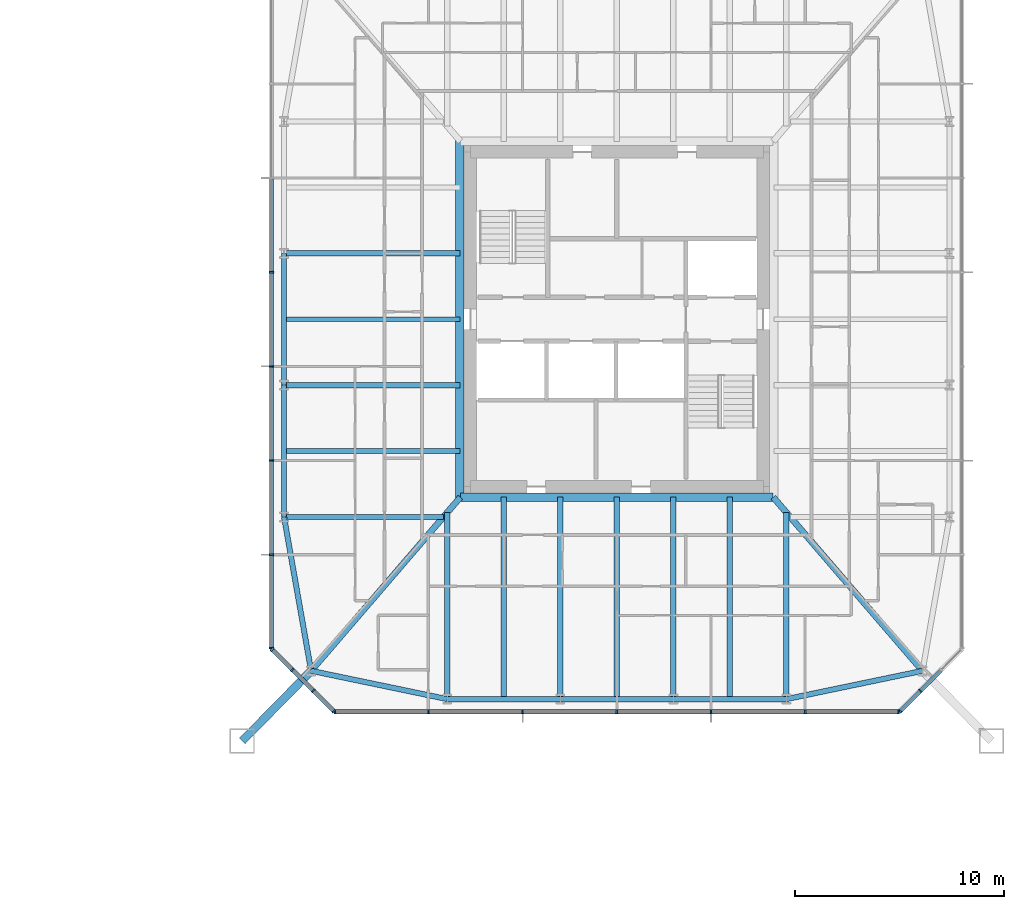
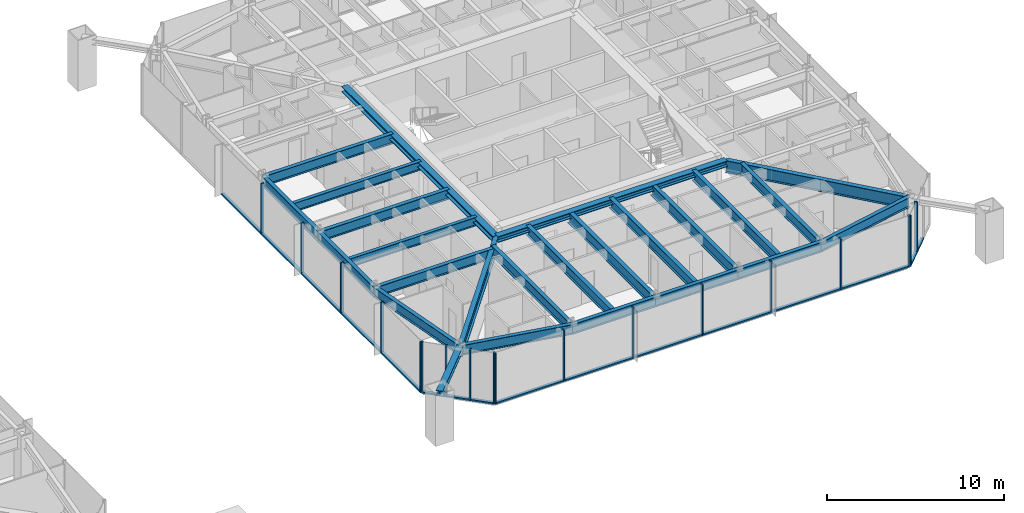
# One storey, part 8 of 26: 35 members, 24 beams, 4 elements without a shape of their own.
"""IFC4 building model written with IfcOpenShell, lengths in metres."""

import ifcopenshell
import ifcopenshell.guid

model = None  # the IFC model being written
_history = None  # IfcOwnerHistory: only IFC2X3 demands one
_inside = {}  # id of a spatial element -> (the spatial element, [elements in it])
_under = {}  # id of a project, library or spatial element -> (it, [spatial elements below it])
_declared = {}  # id of a project -> (the project, [libraries it declares])
_typed = {}  # id of a type object -> (the type object, [elements of that type])
_made_of = {}  # id of a material, layer set ... -> (it, [elements and type objects made of it])


def new_model(schema):
    """Start an empty IFC model of exactly this schema.

    Asked for "IFC4X3", IfcOpenShell would pick the latest addendum, in which some entities
    have other attributes; the version numbers below select the first issue.
    IFC2X3 requires an IfcOwnerHistory on every rooted entity: one is made here for all.
    """
    global model, _history
    if schema == "IFC4X3":
        model = ifcopenshell.file(schema_version=(4, 3, 0, 0))
    else:
        model = ifcopenshell.file(schema=schema)
    _inside.clear()
    _under.clear()
    _declared.clear()
    _typed.clear()
    _made_of.clear()
    _history = None
    if model.schema == "IFC2X3":
        org = make("IfcOrganization", Name="unknown")
        user = make(
            "IfcPersonAndOrganization",
            ThePerson=make("IfcPerson", FamilyName="unknown"),
            TheOrganization=org,
        )
        app = make(
            "IfcApplication",
            ApplicationDeveloper=org,
            Version="unknown",
            ApplicationFullName="unknown",
            ApplicationIdentifier="unknown",
        )
        _history = make(
            "IfcOwnerHistory",
            OwningUser=user,
            OwningApplication=app,
            ChangeAction="ADDED",
            CreationDate=0,
        )
    return model


def make(cls, **values):
    """One entity of the class cls with the attributes given. An attribute that is None is left unset."""
    return model.create_entity(
        cls, **{name: value for name, value in values.items() if value is not None}
    )


def rooted(cls, **values):
    """An entity with a GlobalId (a new one), such as an element, a storey or a relation."""
    return make(cls, GlobalId=ifcopenshell.guid.new(), OwnerHistory=_history, **values)


def si_unit(unit_type, name, prefix=None):
    """IfcSIUnit, for example si_unit("LENGTHUNIT", "METRE", prefix="MILLI")."""
    return make("IfcSIUnit", UnitType=unit_type, Prefix=prefix, Name=name)


def assignment(units):
    """IfcUnitAssignment: the units of a project."""
    return None if units is None else make("IfcUnitAssignment", Units=units)


def point(xyz):
    """IfcCartesianPoint."""
    return None if xyz is None else make("IfcCartesianPoint", Coordinates=xyz)


def direction(xyz):
    """IfcDirection."""
    return None if xyz is None else make("IfcDirection", DirectionRatios=xyz)


def frame(location, z_axis=None, x_axis=None):
    """IfcAxis2Placement3D, a coordinate frame: its origin and axes. An axis left out is left unset."""
    return make(
        "IfcAxis2Placement3D",
        Location=point(location),
        Axis=direction(z_axis),
        RefDirection=direction(x_axis),
    )


def frame_2d(location, x_axis=None):
    """IfcAxis2Placement2D, a coordinate frame in the plane: its origin and x axis."""
    return make(
        "IfcAxis2Placement2D", Location=point(location), RefDirection=direction(x_axis)
    )


def origin():
    """The frame at (0, 0, 0) with its axes left unset."""
    return frame((0.0, 0.0, 0.0))


def origin_2d():
    """The frame at (0, 0) in the plane with its x axis left unset."""
    return frame_2d((0.0, 0.0))


def place(relative_to, where):
    """IfcLocalPlacement: puts the frame where relative to a parent placement (None: the world)."""
    return make(
        "IfcLocalPlacement", PlacementRelTo=relative_to, RelativePlacement=where
    )


def context(
    kind, dimensions, precision=None, world=None, true_north=None, identifier=None
):
    """IfcGeometricRepresentationContext, for example the 3D "Model" context."""
    return make(
        "IfcGeometricRepresentationContext",
        ContextIdentifier=identifier,
        ContextType=kind,
        CoordinateSpaceDimension=dimensions,
        Precision=precision,
        WorldCoordinateSystem=world,
        TrueNorth=true_north,
    )


def subcontext(parent, identifier, kind, view, scale=None):
    """IfcGeometricRepresentationSubContext, for example "Body" below "Model"."""
    return make(
        "IfcGeometricRepresentationSubContext",
        ContextIdentifier=identifier,
        ContextType=kind,
        ParentContext=parent,
        TargetScale=scale,
        TargetView=view,
    )


def project(units=None, contexts=None):
    """IfcProject with its units and contexts."""
    return rooted(
        "IfcProject",
        Name="project",
        RepresentationContexts=contexts,
        UnitsInContext=assignment(units),
    )


def spatial(cls, under=None, at=None, **own):
    """A site, building, storey or space (cls), placed at a placement, below another one or the project."""
    s = rooted(cls, ObjectPlacement=at, **own)
    if under is not None:
        _under.setdefault(under.id(), (under, []))[1].append(s)
    return s


def profile(cls, at=None, kind="AREA", **sizes):
    """A parametric profile (cls). Its sizes go by their IFC names, for example OverallWidth=200.0."""
    return make(cls, ProfileType=kind, Position=at, **sizes)


def rectangle(**sizes):
    """IfcRectangleProfileDef."""
    return profile("IfcRectangleProfileDef", **sizes)


def i_section(**sizes):
    """IfcIShapeProfileDef."""
    return profile("IfcIShapeProfileDef", **sizes)


def extrude(swept, where, along, depth):
    """IfcExtrudedAreaSolid: the profile swept, set in the frame where, extruded along a direction by depth."""
    return make(
        "IfcExtrudedAreaSolid",
        SweptArea=swept,
        Position=where,
        ExtrudedDirection=direction(along),
        Depth=depth,
    )


def shape(context_of_items, identifier, shape_type, items):
    """IfcShapeRepresentation: the items that make up one representation, for example the "Body"."""
    return make(
        "IfcShapeRepresentation",
        ContextOfItems=context_of_items,
        RepresentationIdentifier=identifier,
        RepresentationType=shape_type,
        Items=items,
    )


def material(Name=None, Category=None):
    """IfcMaterial."""
    return make("IfcMaterial", Name=Name, Category=Category)


def material_profile(
    of_material, cross_section, Name=None, Category=None, Priority=None
):
    """IfcMaterialProfile: a cross section and its material."""
    return make(
        "IfcMaterialProfile",
        Name=Name,
        Material=of_material,
        Profile=cross_section,
        Priority=Priority,
        Category=Category,
    )


def profile_set(profiles, Name=None, composite=None):
    """IfcMaterialProfileSet."""
    return make(
        "IfcMaterialProfileSet",
        Name=Name,
        MaterialProfiles=profiles,
        CompositeProfile=composite,
    )


def made_of(thing, what):
    """Note that an element or type object is made of a material, layer set ...; save() writes the relation."""
    if what is not None:
        _made_of.setdefault(what.id(), (what, []))[1].append(thing)
    return thing


def type_object(cls, material=None, **own):
    """A type object (cls), such as IfcWallType, which elements share."""
    return made_of(rooted(cls, **own), material)


def element(
    cls,
    number,
    at=None,
    inside=None,
    cuts=None,
    type_object=None,
    material=None,
    context=None,
    identifier="Body",
    shape_type=None,
    held_by="IfcProductDefinitionShape",
    body=None,
    shapes=None,
    **own,
):
    """One element of the class cls, such as IfcWall. Its Tag is "e" and its number.

    at: its placement. inside: the storey or other place that contains it. cuts: it is an
    opening in that element (IfcRelVoidsElement). A single representation is given by context,
    identifier, shape_type and body (its items); several are given by shapes. held_by: the class
    of the entity that holds the representations. save() writes the other relations.
    """
    e = rooted(cls, Tag="e%d" % number, ObjectPlacement=at, **own)
    if body is not None:
        shapes = [shape(context, identifier, shape_type, body)]
    if shapes is not None:
        e.Representation = make(held_by, Representations=shapes)
    if inside is not None:
        _inside.setdefault(inside.id(), (inside, []))[1].append(e)
    if cuts is not None:
        rooted(
            "IfcRelVoidsElement", RelatingBuildingElement=cuts, RelatedOpeningElement=e
        )
    if type_object is not None:
        _typed.setdefault(type_object.id(), (type_object, []))[1].append(e)
    return made_of(e, material)


def aggregate(whole, parts):
    """IfcRelAggregates: a whole, such as a stair, and the parts it consists of."""
    return rooted("IfcRelAggregates", RelatingObject=whole, RelatedObjects=parts)


def save(model, path):
    """Write the relations noted so far, then the file.

    IfcRelAggregates (storeys below a building ...), IfcRelContainedInSpatialStructure (elements
    in a storey), IfcRelDefinesByType, IfcRelAssociatesMaterial and IfcRelDeclares: one each for
    every whole, place, type object, material and project.
    """
    for whole, parts in _under.values():
        aggregate(whole, parts)
    for where, things in _inside.values():
        rooted(
            "IfcRelContainedInSpatialStructure",
            RelatedElements=things,
            RelatingStructure=where,
        )
    for kind, things in _typed.values():
        rooted("IfcRelDefinesByType", RelatedObjects=things, RelatingType=kind)
    for what, things in _made_of.values():
        rooted("IfcRelAssociatesMaterial", RelatedObjects=things, RelatingMaterial=what)
    for by, libraries in _declared.values():
        rooted("IfcRelDeclares", RelatingContext=by, RelatedDefinitions=libraries)
    model.write(path)


model = new_model("IFC4")

# Units and contexts
model_context = context("Model", 3, precision=1e-05, world=origin(), true_north=direction((0.0, 1.0)))
body_context = subcontext(model_context, "Body", "Model", "MODEL_VIEW")
ifc_project = project(units=[si_unit("LENGTHUNIT", "METRE"), si_unit("AREAUNIT", "SQUARE_METRE"), si_unit("VOLUMEUNIT", "CUBIC_METRE"), si_unit("PLANEANGLEUNIT", "RADIAN"), si_unit("MASSUNIT", "GRAM", prefix="KILO")], contexts=[model_context])

# Site, building, storey
site_placement = place(None, origin())
site = spatial("IfcSite", under=ifc_project, at=site_placement, CompositionType="ELEMENT")
building_placement = place(site_placement, origin())
building = spatial("IfcBuilding", under=site, at=building_placement, Name="Iwan Alto Co-Living Towers", CompositionType="ELEMENT")
storey_placement = place(building_placement, frame((0.0, 0.0, 36.0)))
storey = spatial("IfcBuildingStorey", under=building, at=storey_placement, Name="L09", CompositionType="ELEMENT", Elevation=36.0)

# Curtain wall, members
ifc_material_1 = material(Name="Bronze aluminium unitised frame", Category="aluminium")
curtain_wall_type_1 = type_object("IfcCurtainWallType", Name="CURTAIN WALL CW-C", PredefinedType="NOTDEFINED", material=ifc_material_1)
curtain_wall_1_placement = place(storey_placement, origin())
curtain_wall_1 = element("IfcCurtainWall", 1, at=curtain_wall_1_placement, inside=storey, type_object=curtain_wall_type_1, Name="T2 curtain wall S L09", PredefinedType="NOTDEFINED")
ifc_material_2 = material(Name="Aluminium 6063-T6 bronze anodised", Category="aluminium")
ifc_material_profile_1 = material_profile(ifc_material_2, rectangle(XDim=0.199951171875, YDim=0.080078125, at=origin_2d()), Name="AL 80X200")
ifc_profile_set_1 = profile_set([ifc_material_profile_1], Name="Aluminium 6063-T6 bronze anodised")
member_type_1 = type_object("IfcMemberType", Name="CW-C MULLION 80X200", PredefinedType="MULLION", material=ifc_profile_set_1)
member_1_placement = place(storey_placement, frame((49.5400390625, -18.75, 0.0), z_axis=(0.0, 0.0, 1.0), x_axis=(0.0, 1.0, 0.0)))
member_1 = element("IfcMember", 2, at=member_1_placement, type_object=member_type_1, Name="CW-C mullion 1", PredefinedType="MULLION", context=body_context, shape_type="SweptSolid", body=[
    extrude(rectangle(XDim=0.199951171875, YDim=0.080078125, at=origin_2d()), origin(), (0.0, 0.0, 1.0), 3.5),
])
member_2_placement = place(storey_placement, frame((54.0, -18.75, 0.0), z_axis=(0.0, 0.0, 1.0), x_axis=(0.0, 1.0, 0.0)))
member_2 = element("IfcMember", 3, at=member_2_placement, type_object=member_type_1, Name="CW-C mullion 2", PredefinedType="MULLION", context=body_context, shape_type="SweptSolid", body=[
    extrude(rectangle(XDim=0.199951171875, YDim=0.080078125, at=origin_2d()), origin(), (0.0, 0.0, 1.0), 3.5),
])
member_3_placement = place(storey_placement, frame((58.5, -18.75, 0.0), z_axis=(0.0, 0.0, 1.0), x_axis=(0.0, 1.0, 0.0)))
member_3 = element("IfcMember", 4, at=member_3_placement, type_object=member_type_1, Name="CW-C mullion 3", PredefinedType="MULLION", context=body_context, shape_type="SweptSolid", body=[
    extrude(rectangle(XDim=0.199951171875, YDim=0.080078125, at=origin_2d()), origin(), (0.0, 0.0, 1.0), 3.5),
])
member_4_placement = place(storey_placement, frame((63.0, -18.75, 0.0), z_axis=(0.0, 0.0, 1.0), x_axis=(0.0, 1.0, 0.0)))
member_4 = element("IfcMember", 5, at=member_4_placement, type_object=member_type_1, Name="CW-C mullion 4", PredefinedType="MULLION", context=body_context, shape_type="SweptSolid", body=[
    extrude(rectangle(XDim=0.199951171875, YDim=0.080078125, at=origin_2d()), origin(), (0.0, 0.0, 1.0), 3.5),
])
member_5_placement = place(storey_placement, frame((67.5, -18.75, 0.0), z_axis=(0.0, 0.0, 1.0), x_axis=(0.0, 1.0, 0.0)))
member_5 = element("IfcMember", 6, at=member_5_placement, type_object=member_type_1, Name="CW-C mullion 5", PredefinedType="MULLION", context=body_context, shape_type="SweptSolid", body=[
    extrude(rectangle(XDim=0.199951171875, YDim=0.080078125, at=origin_2d()), origin(), (0.0, 0.0, 1.0), 3.5),
])
member_6_placement = place(storey_placement, frame((72.0, -18.75, 0.0), z_axis=(0.0, 0.0, 1.0), x_axis=(0.0, 1.0, 0.0)))
member_6 = element("IfcMember", 7, at=member_6_placement, type_object=member_type_1, Name="CW-C mullion 6", PredefinedType="MULLION", context=body_context, shape_type="SweptSolid", body=[
    extrude(rectangle(XDim=0.199951171875, YDim=0.080078125, at=origin_2d()), origin(), (0.0, 0.0, 1.0), 3.5),
])
member_7_placement = place(storey_placement, frame((76.4599609375, -18.75, 0.0), z_axis=(0.0, 0.0, 1.0), x_axis=(0.0, 1.0, 0.0)))
member_7 = element("IfcMember", 8, at=member_7_placement, type_object=member_type_1, Name="CW-C mullion 7", PredefinedType="MULLION", context=body_context, shape_type="SweptSolid", body=[
    extrude(rectangle(XDim=0.199951171875, YDim=0.080078125, at=origin_2d()), origin(), (0.0, 0.0, 1.0), 3.5),
])

curtain_wall_2_placement = place(storey_placement, origin())
curtain_wall_2 = element("IfcCurtainWall", 9, at=curtain_wall_2_placement, inside=storey, type_object=curtain_wall_type_1, Name="T2 curtain wall W L09", PredefinedType="NOTDEFINED")
member_8_placement = place(storey_placement, frame((46.5, 2.25, 0.0), z_axis=(0.0, 0.0, 1.0), x_axis=(1.0, 0.0, 0.0)))
member_8 = element("IfcMember", 10, at=member_8_placement, type_object=member_type_1, Name="CW-C mullion 4", PredefinedType="MULLION", context=body_context, shape_type="SweptSolid", body=[
    extrude(rectangle(XDim=0.199951171875, YDim=0.080078125, at=origin_2d()), origin(), (0.0, 0.0, 1.0), 3.5),
])
member_9_placement = place(storey_placement, frame((46.5, -2.25, 0.0), z_axis=(0.0, 0.0, 1.0), x_axis=(1.0, 0.0, 0.0)))
member_9 = element("IfcMember", 11, at=member_9_placement, type_object=member_type_1, Name="CW-C mullion 5", PredefinedType="MULLION", context=body_context, shape_type="SweptSolid", body=[
    extrude(rectangle(XDim=0.199951171875, YDim=0.080078125, at=origin_2d()), origin(), (0.0, 0.0, 1.0), 3.5),
])
member_10_placement = place(storey_placement, frame((46.5, -6.75, 0.0), z_axis=(0.0, 0.0, 1.0), x_axis=(1.0, 0.0, 0.0)))
member_10 = element("IfcMember", 12, at=member_10_placement, type_object=member_type_1, Name="CW-C mullion 6", PredefinedType="MULLION", context=body_context, shape_type="SweptSolid", body=[
    extrude(rectangle(XDim=0.199951171875, YDim=0.080078125, at=origin_2d()), origin(), (0.0, 0.0, 1.0), 3.5),
])
member_11_placement = place(storey_placement, frame((46.5, -11.25, 0.0), z_axis=(0.0, 0.0, 1.0), x_axis=(1.0, 0.0, 0.0)))
member_11 = element("IfcMember", 13, at=member_11_placement, type_object=member_type_1, Name="CW-C mullion 7", PredefinedType="MULLION", context=body_context, shape_type="SweptSolid", body=[
    extrude(rectangle(XDim=0.199951171875, YDim=0.080078125, at=origin_2d()), origin(), (0.0, 0.0, 1.0), 3.5),
])
member_12_placement = place(storey_placement, frame((46.5, -15.7099609375, 0.0), z_axis=(0.0, 0.0, 1.0), x_axis=(1.0, 0.0, 0.0)))
member_12 = element("IfcMember", 14, at=member_12_placement, type_object=member_type_1, Name="CW-C mullion 8", PredefinedType="MULLION", context=body_context, shape_type="SweptSolid", body=[
    extrude(rectangle(XDim=0.199951171875, YDim=0.080078125, at=origin_2d()), origin(), (0.0, 0.0, 1.0), 3.5),
])

# Member
ifc_material_3 = material(Name="Aluminium 6063-T6 bronze anodised", Category="aluminium")
ifc_material_profile_2 = material_profile(ifc_material_3, rectangle(XDim=0.199951171875, YDim=0.10009765625, at=origin_2d()), Name="AL 200X100")
ifc_profile_set_2 = profile_set([ifc_material_profile_2], Name="Aluminium 6063-T6 bronze anodised")
member_type_2 = type_object("IfcMemberType", Name="CW-C TRANSOM 200X100", PredefinedType="USERDEFINED", material=ifc_profile_set_2)
member_13_placement = place(storey_placement, frame((49.580078125, -18.75, 0.050048828125), z_axis=(1.0, 0.0, 0.0), x_axis=(0.0, 1.0, 0.0)))
member_13 = element("IfcMember", 15, at=member_13_placement, type_object=member_type_2, Name="CW-C transom 1.1", ObjectType="TRANSOM", PredefinedType="USERDEFINED", context=body_context, shape_type="SweptSolid", body=[
    extrude(rectangle(XDim=0.199951171875, YDim=0.10009765625, at=origin_2d()), origin(), (0.0, 0.0, 1.0), 4.3798828125),
])

member_14_placement = place(storey_placement, frame((54.0400390625, -18.75, 0.050048828125), z_axis=(1.0, 0.0, 0.0), x_axis=(0.0, 1.0, 0.0)))
member_14 = element("IfcMember", 16, at=member_14_placement, type_object=member_type_2, Name="CW-C transom 2.1", ObjectType="TRANSOM", PredefinedType="USERDEFINED", context=body_context, shape_type="SweptSolid", body=[
    extrude(rectangle(XDim=0.199951171875, YDim=0.10009765625, at=origin_2d()), origin(), (0.0, 0.0, 1.0), 4.419921875),
])

member_15_placement = place(storey_placement, frame((58.5400390625, -18.75, 0.050048828125), z_axis=(1.0, 0.0, 0.0), x_axis=(0.0, 1.0, 0.0)))
member_15 = element("IfcMember", 17, at=member_15_placement, type_object=member_type_2, Name="CW-C transom 3.1", ObjectType="TRANSOM", PredefinedType="USERDEFINED", context=body_context, shape_type="SweptSolid", body=[
    extrude(rectangle(XDim=0.199951171875, YDim=0.10009765625, at=origin_2d()), origin(), (0.0, 0.0, 1.0), 4.419921875),
])

member_16_placement = place(storey_placement, frame((63.0400390625, -18.75, 0.050048828125), z_axis=(1.0, 0.0, 0.0), x_axis=(0.0, 1.0, 0.0)))
member_16 = element("IfcMember", 18, at=member_16_placement, type_object=member_type_2, Name="CW-C transom 4.1", ObjectType="TRANSOM", PredefinedType="USERDEFINED", context=body_context, shape_type="SweptSolid", body=[
    extrude(rectangle(XDim=0.199951171875, YDim=0.10009765625, at=origin_2d()), origin(), (0.0, 0.0, 1.0), 4.419921875),
])

member_17_placement = place(storey_placement, frame((67.5400390625, -18.75, 0.050048828125), z_axis=(1.0, 0.0, 0.0), x_axis=(0.0, 1.0, 0.0)))
member_17 = element("IfcMember", 19, at=member_17_placement, type_object=member_type_2, Name="CW-C transom 5.1", ObjectType="TRANSOM", PredefinedType="USERDEFINED", context=body_context, shape_type="SweptSolid", body=[
    extrude(rectangle(XDim=0.199951171875, YDim=0.10009765625, at=origin_2d()), origin(), (0.0, 0.0, 1.0), 4.419921875),
])

member_18_placement = place(storey_placement, frame((72.0400390625, -18.75, 0.050048828125), z_axis=(1.0, 0.0, 0.0), x_axis=(0.0, 1.0, 0.0)))
member_18 = element("IfcMember", 20, at=member_18_placement, type_object=member_type_2, Name="CW-C transom 6.1", ObjectType="TRANSOM", PredefinedType="USERDEFINED", context=body_context, shape_type="SweptSolid", body=[
    extrude(rectangle(XDim=0.199951171875, YDim=0.10009765625, at=origin_2d()), origin(), (0.0, 0.0, 1.0), 4.3798828125),
])

aggregate(curtain_wall_1, [member_1, member_2, member_3, member_4, member_5, member_6, member_7, member_13, member_14, member_15, member_16, member_17, member_18])

member_19_placement = place(storey_placement, frame((46.5, 6.7099609375, 0.050048828125), z_axis=(0.0, -1.0, 0.0), x_axis=(1.0, 0.0, 0.0)))
member_19 = element("IfcMember", 21, at=member_19_placement, type_object=member_type_2, Name="CW-C transom 3.1", ObjectType="TRANSOM", PredefinedType="USERDEFINED", context=body_context, shape_type="SweptSolid", body=[
    extrude(rectangle(XDim=0.199951171875, YDim=0.10009765625, at=origin_2d()), origin(), (0.0, 0.0, 1.0), 4.419921875),
])

member_20_placement = place(storey_placement, frame((46.5, 2.2099609375, 0.050048828125), z_axis=(0.0, -1.0, 0.0), x_axis=(1.0, 0.0, 0.0)))
member_20 = element("IfcMember", 22, at=member_20_placement, type_object=member_type_2, Name="CW-C transom 4.1", ObjectType="TRANSOM", PredefinedType="USERDEFINED", context=body_context, shape_type="SweptSolid", body=[
    extrude(rectangle(XDim=0.199951171875, YDim=0.10009765625, at=origin_2d()), origin(), (0.0, 0.0, 1.0), 4.419921875),
])

member_21_placement = place(storey_placement, frame((46.5, -2.2900390625, 0.050048828125), z_axis=(0.0, -1.0, 0.0), x_axis=(1.0, 0.0, 0.0)))
member_21 = element("IfcMember", 23, at=member_21_placement, type_object=member_type_2, Name="CW-C transom 5.1", ObjectType="TRANSOM", PredefinedType="USERDEFINED", context=body_context, shape_type="SweptSolid", body=[
    extrude(rectangle(XDim=0.199951171875, YDim=0.10009765625, at=origin_2d()), origin(), (0.0, 0.0, 1.0), 4.419921875),
])

member_22_placement = place(storey_placement, frame((46.5, -6.7900390625, 0.050048828125), z_axis=(0.0, -1.0, 0.0), x_axis=(1.0, 0.0, 0.0)))
member_22 = element("IfcMember", 24, at=member_22_placement, type_object=member_type_2, Name="CW-C transom 6.1", ObjectType="TRANSOM", PredefinedType="USERDEFINED", context=body_context, shape_type="SweptSolid", body=[
    extrude(rectangle(XDim=0.199951171875, YDim=0.10009765625, at=origin_2d()), origin(), (0.0, 0.0, 1.0), 4.419921875),
])

member_23_placement = place(storey_placement, frame((46.5, -11.2900390625, 0.050048828125), z_axis=(0.0, -1.0, 0.0), x_axis=(1.0, 0.0, 0.0)))
member_23 = element("IfcMember", 25, at=member_23_placement, type_object=member_type_2, Name="CW-C transom 7.1", ObjectType="TRANSOM", PredefinedType="USERDEFINED", context=body_context, shape_type="SweptSolid", body=[
    extrude(rectangle(XDim=0.199951171875, YDim=0.10009765625, at=origin_2d()), origin(), (0.0, 0.0, 1.0), 4.3798828125),
])

aggregate(curtain_wall_2, [member_8, member_9, member_10, member_11, member_12, member_19, member_20, member_21, member_22, member_23])

# Curtain wall, members
ifc_material_4 = material(Name="Bronze aluminium unitised frame", Category="aluminium")
curtain_wall_type_2 = type_object("IfcCurtainWallType", Name="CURTAIN WALL CW-D", PredefinedType="NOTDEFINED", material=ifc_material_4)
curtain_wall_3_placement = place(storey_placement, origin())
curtain_wall_3 = element("IfcCurtainWall", 26, at=curtain_wall_3_placement, inside=storey, type_object=curtain_wall_type_2, Name="T2 chamfer curtain wall SE L09", PredefinedType="NOTDEFINED")
ifc_material_5 = material(Name="Aluminium 6063-T6 bronze anodised", Category="aluminium")
ifc_material_profile_3 = material_profile(ifc_material_5, rectangle(XDim=0.199951171875, YDim=0.080078125, at=origin_2d()), Name="AL 80X200")
ifc_profile_set_3 = profile_set([ifc_material_profile_3], Name="Aluminium 6063-T6 bronze anodised")
member_type_3 = type_object("IfcMemberType", Name="CW-D MULLION 80X200", PredefinedType="MULLION", material=ifc_profile_set_3)
member_24_placement = place(storey_placement, frame((76.5283203125, -18.7216796875, 0.0), z_axis=(0.0, 0.0, 1.0), x_axis=(-0.707106781187, 0.707106781187, 0.0)))
member_24 = element("IfcMember", 27, at=member_24_placement, type_object=member_type_3, Name="CW-D mullion 1", PredefinedType="MULLION", context=body_context, shape_type="SweptSolid", body=[
    extrude(rectangle(XDim=0.199951171875, YDim=0.080078125, at=origin_2d()), origin(), (0.0, 0.0, 1.0), 3.5),
])
member_25_placement = place(storey_placement, frame((77.5, -17.75, 0.0), z_axis=(0.0, 0.0, 1.0), x_axis=(-0.707106781187, 0.707106781187, 0.0)))
member_25 = element("IfcMember", 28, at=member_25_placement, type_object=member_type_3, Name="CW-D mullion 2", PredefinedType="MULLION", context=body_context, shape_type="SweptSolid", body=[
    extrude(rectangle(XDim=0.199951171875, YDim=0.080078125, at=origin_2d()), origin(), (0.0, 0.0, 1.0), 3.5),
])

curtain_wall_4_placement = place(storey_placement, origin())
curtain_wall_4 = element("IfcCurtainWall", 29, at=curtain_wall_4_placement, inside=storey, type_object=curtain_wall_type_2, Name="T2 chamfer curtain wall SW L09", PredefinedType="NOTDEFINED")
member_26_placement = place(storey_placement, frame((46.5283203125, -15.7783203125, 0.0), z_axis=(0.0, 0.0, 1.0), x_axis=(0.707106781187, 0.707106781187, 0.0)))
member_26 = element("IfcMember", 30, at=member_26_placement, type_object=member_type_3, Name="CW-D mullion 1", PredefinedType="MULLION", context=body_context, shape_type="SweptSolid", body=[
    extrude(rectangle(XDim=0.199951171875, YDim=0.080078125, at=origin_2d()), origin(), (0.0, 0.0, 1.0), 3.5),
])
member_27_placement = place(storey_placement, frame((47.5, -16.75, 0.0), z_axis=(0.0, 0.0, 1.0), x_axis=(0.707106781187, 0.707106781187, 0.0)))
member_27 = element("IfcMember", 31, at=member_27_placement, type_object=member_type_3, Name="CW-D mullion 2", PredefinedType="MULLION", context=body_context, shape_type="SweptSolid", body=[
    extrude(rectangle(XDim=0.199951171875, YDim=0.080078125, at=origin_2d()), origin(), (0.0, 0.0, 1.0), 3.5),
])
member_28_placement = place(storey_placement, frame((48.5, -17.75, 0.0), z_axis=(0.0, 0.0, 1.0), x_axis=(0.707106781187, 0.707106781187, 0.0)))
member_28 = element("IfcMember", 32, at=member_28_placement, type_object=member_type_3, Name="CW-D mullion 3", PredefinedType="MULLION", context=body_context, shape_type="SweptSolid", body=[
    extrude(rectangle(XDim=0.199951171875, YDim=0.080078125, at=origin_2d()), origin(), (0.0, 0.0, 1.0), 3.5),
])
member_29_placement = place(storey_placement, frame((49.4716796875, -18.7216796875, 0.0), z_axis=(0.0, 0.0, 1.0), x_axis=(0.707106781187, 0.707106781187, 0.0)))
member_29 = element("IfcMember", 33, at=member_29_placement, type_object=member_type_3, Name="CW-D mullion 4", PredefinedType="MULLION", context=body_context, shape_type="SweptSolid", body=[
    extrude(rectangle(XDim=0.199951171875, YDim=0.080078125, at=origin_2d()), origin(), (0.0, 0.0, 1.0), 3.5),
])

# Member
ifc_material_6 = material(Name="Aluminium 6063-T6 bronze anodised", Category="aluminium")
ifc_material_profile_4 = material_profile(ifc_material_6, rectangle(XDim=0.199951171875, YDim=0.10009765625, at=origin_2d()), Name="AL 200X100")
ifc_profile_set_4 = profile_set([ifc_material_profile_4], Name="Aluminium 6063-T6 bronze anodised")
member_type_4 = type_object("IfcMemberType", Name="CW-D TRANSOM 200X100", PredefinedType="USERDEFINED", material=ifc_profile_set_4)
member_30_placement = place(storey_placement, frame((76.556640625, -18.693359375, 0.050048828125), z_axis=(0.707106781187, 0.707106781187, 0.0), x_axis=(-0.707106781187, 0.707106781187, 0.0)))
member_30 = element("IfcMember", 34, at=member_30_placement, type_object=member_type_4, Name="CW-D transom 1.1", ObjectType="TRANSOM", PredefinedType="USERDEFINED", context=body_context, shape_type="SweptSolid", body=[
    extrude(rectangle(XDim=0.199951171875, YDim=0.10009765625, at=origin_2d()), origin(), (0.0, 0.0, 1.0), 1.2939453125),
])

member_31_placement = place(storey_placement, frame((77.5283203125, -17.7216796875, 0.050048828125), z_axis=(0.707106781187, 0.707106781187, 0.0), x_axis=(-0.707106781187, 0.707106781187, 0.0)))
member_31 = element("IfcMember", 35, at=member_31_placement, type_object=member_type_4, Name="CW-D transom 2.1", ObjectType="TRANSOM", PredefinedType="USERDEFINED", context=body_context, shape_type="SweptSolid", body=[
    extrude(rectangle(XDim=0.199951171875, YDim=0.10009765625, at=origin_2d()), origin(), (0.0, 0.0, 1.0), 1.334228515625),
])

aggregate(curtain_wall_3, [member_24, member_25, member_30, member_31])

member_32_placement = place(storey_placement, frame((46.556640625, -15.806640625, 0.050048828125), z_axis=(0.707106781187, -0.707106781187, 0.0), x_axis=(0.707106781187, 0.707106781187, 0.0)))
member_32 = element("IfcMember", 36, at=member_32_placement, type_object=member_type_4, Name="CW-D transom 1.1", ObjectType="TRANSOM", PredefinedType="USERDEFINED", context=body_context, shape_type="SweptSolid", body=[
    extrude(rectangle(XDim=0.199951171875, YDim=0.10009765625, at=origin_2d()), origin(), (0.0, 0.0, 1.0), 1.2939453125),
])

member_33_placement = place(storey_placement, frame((47.5283203125, -16.7783203125, 0.050048828125), z_axis=(0.707106781187, -0.707106781187, 0.0), x_axis=(0.707106781187, 0.707106781187, 0.0)))
member_33 = element("IfcMember", 37, at=member_33_placement, type_object=member_type_4, Name="CW-D transom 2.1", ObjectType="TRANSOM", PredefinedType="USERDEFINED", context=body_context, shape_type="SweptSolid", body=[
    extrude(rectangle(XDim=0.199951171875, YDim=0.10009765625, at=origin_2d()), origin(), (0.0, 0.0, 1.0), 1.334228515625),
])

member_34_placement = place(storey_placement, frame((48.5283203125, -17.7783203125, 0.050048828125), z_axis=(0.707106781187, -0.707106781187, 0.0), x_axis=(0.707106781187, 0.707106781187, 0.0)))
member_34 = element("IfcMember", 38, at=member_34_placement, type_object=member_type_4, Name="CW-D transom 3.1", ObjectType="TRANSOM", PredefinedType="USERDEFINED", context=body_context, shape_type="SweptSolid", body=[
    extrude(rectangle(XDim=0.199951171875, YDim=0.10009765625, at=origin_2d()), origin(), (0.0, 0.0, 1.0), 1.2939453125),
])

aggregate(curtain_wall_4, [member_26, member_27, member_28, member_29, member_32, member_33, member_34])

# Beams
ifc_material_7 = material(Name="Steel ASTM A992 Gr 50", Category="steel")
ifc_material_profile_5 = material_profile(ifc_material_7, i_section(OverallWidth=0.40380859375, OverallDepth=0.406494140625, WebThickness=0.027099609375, FlangeThickness=0.043701171875, at=origin_2d()), Name="W14X233")
ifc_profile_set_5 = profile_set([ifc_material_profile_5], Name="Steel ASTM A992 Gr 50")
beam_type_1 = type_object("IfcBeamType", Name="T2 CORE LEDGER BEAM W14X233", PredefinedType="BEAM", material=ifc_profile_set_5)
beam_1_placement = place(storey_placement, frame((55.5263671875, -8.501953125, 3.06689453125), z_axis=(1.0, 0.0, 0.0), x_axis=(0.0, 1.0, 0.0)))
element("IfcBeam", 39, at=beam_1_placement, inside=storey, type_object=beam_type_1, Name="T2 core ledger beam S L10", PredefinedType="BEAM", context=body_context, shape_type="SweptSolid", body=[
    extrude(i_section(OverallWidth=0.40380859375, OverallDepth=0.406494140625, WebThickness=0.027099609375, FlangeThickness=0.043701171875, at=origin_2d()), origin(), (0.0, 0.0, 1.0), 14.947265625),
])
beam_2_placement = place(storey_placement, frame((55.498046875, 8.534912109375, 3.06689453125), z_axis=(0.0, -1.0, 0.0), x_axis=(1.0, 0.0, 0.0)))
element("IfcBeam", 40, at=beam_2_placement, inside=storey, type_object=beam_type_1, Name="T2 core ledger beam W L10", PredefinedType="BEAM", context=body_context, shape_type="SweptSolid", body=[
    extrude(i_section(OverallWidth=0.40380859375, OverallDepth=0.406494140625, WebThickness=0.027099609375, FlangeThickness=0.043701171875, at=origin_2d()), origin(), (0.0, 0.0, 1.0), 17.06982421875),
])
ifc_material_8 = material(Name="Steel ASTM A992 Gr 50", Category="steel")
ifc_material_profile_6 = material_profile(ifc_material_8, i_section(OverallWidth=0.2919921875, OverallDepth=0.8408203125, WebThickness=0.0146484375, FlangeThickness=0.021728515625, at=origin_2d()), Name="W33X130")
ifc_profile_set_6 = profile_set([ifc_material_profile_6], Name="Steel ASTM A992 Gr 50")
beam_type_2 = type_object("IfcBeamType", Name="T2 CORNER GIRDER W33X130", PredefinedType="BEAM", material=ifc_profile_set_6)
for number, where, z_axis, x_axis, name in (
    (41, (48.393798828125, -16.797119140625, 2.849609375), (0.651972301827, 0.758242782788, 0.0), (-0.758242782788, 0.651972301827, 0.0), "T2 corner girder CSW L10"),
    (42, (77.606201171875, -16.797119140625, 2.849609375), (-0.651972301827, 0.758242782788, 0.0), (-0.758242782788, -0.651972301827, 0.0), "T2 corner girder CSE L10"),
):
    element("IfcBeam", number, at=place(storey_placement, frame(where, z_axis=z_axis, x_axis=x_axis)), inside=storey, type_object=beam_type_2, Name=name, PredefinedType="BEAM", context=body_context, shape_type="SweptSolid", body=[
        extrude(i_section(OverallWidth=0.2919921875, OverallDepth=0.8408203125, WebThickness=0.0146484375, FlangeThickness=0.021728515625, at=origin_2d()), origin(), (0.0, 0.0, 1.0), 10.93994140625),
    ])
ifc_material_9 = material(Name="Steel ASTM A992 Gr 50", Category="steel")
ifc_material_profile_7 = material_profile(ifc_material_9, i_section(OverallWidth=0.25390625, OverallDepth=0.683349609375, WebThickness=0.012451171875, FlangeThickness=0.018798828125, at=origin_2d()), Name="W27X94")
ifc_profile_set_7 = profile_set([ifc_material_profile_7], Name="Steel ASTM A992 Gr 50")
beam_type_3 = type_object("IfcBeamType", Name="T2 EDGE BEAM W27X94", PredefinedType="BEAM", material=ifc_profile_set_7)
beam_3_placement = place(storey_placement, frame((48.393798828125, -16.797119140625, 2.928466796875), z_axis=(0.979060119423, -0.203571320564, 0.0), x_axis=(0.203571320564, 0.979060119423, 0.0)))
element("IfcBeam", 43, at=beam_3_placement, inside=storey, type_object=beam_type_3, Name="T2 edge beam CSW L10", PredefinedType="BEAM", context=body_context, shape_type="SweptSolid", body=[
    extrude(i_section(OverallWidth=0.25390625, OverallDepth=0.683349609375, WebThickness=0.012451171875, FlangeThickness=0.018798828125, at=origin_2d()), origin(), (0.0, 0.0, 1.0), 6.645263671875),
])
beam_4_placement = place(storey_placement, frame((54.89990234375, -18.14990234375, 2.928466796875), z_axis=(1.0, 0.0, 0.0), x_axis=(0.0, 1.0, 0.0)))
element("IfcBeam", 44, at=beam_4_placement, inside=storey, type_object=beam_type_3, Name="T2 edge beam S1 L10", PredefinedType="BEAM", context=body_context, shape_type="SweptSolid", body=[
    extrude(i_section(OverallWidth=0.25390625, OverallDepth=0.683349609375, WebThickness=0.012451171875, FlangeThickness=0.018798828125, at=origin_2d()), origin(), (0.0, 0.0, 1.0), 5.400146484375),
])
beam_5_placement = place(storey_placement, frame((60.300048828125, -18.14990234375, 2.928466796875), z_axis=(1.0, 0.0, 0.0), x_axis=(0.0, 1.0, 0.0)))
element("IfcBeam", 45, at=beam_5_placement, inside=storey, type_object=beam_type_3, Name="T2 edge beam S2 L10", PredefinedType="BEAM", context=body_context, shape_type="SweptSolid", body=[
    extrude(i_section(OverallWidth=0.25390625, OverallDepth=0.683349609375, WebThickness=0.012451171875, FlangeThickness=0.018798828125, at=origin_2d()), origin(), (0.0, 0.0, 1.0), 5.39990234375),
])
beam_6_placement = place(storey_placement, frame((65.699951171875, -18.14990234375, 2.928466796875), z_axis=(1.0, 0.0, 0.0), x_axis=(0.0, 1.0, 0.0)))
element("IfcBeam", 46, at=beam_6_placement, inside=storey, type_object=beam_type_3, Name="T2 edge beam S3 L10", PredefinedType="BEAM", context=body_context, shape_type="SweptSolid", body=[
    extrude(i_section(OverallWidth=0.25390625, OverallDepth=0.683349609375, WebThickness=0.012451171875, FlangeThickness=0.018798828125, at=origin_2d()), origin(), (0.0, 0.0, 1.0), 5.400146484375),
])
beam_7_placement = place(storey_placement, frame((71.10009765625, -18.14990234375, 2.928466796875), z_axis=(0.979060119423, 0.203571320564, 0.0), x_axis=(-0.203571320564, 0.979060119423, 0.0)))
element("IfcBeam", 47, at=beam_7_placement, inside=storey, type_object=beam_type_3, Name="T2 edge beam S4 L10", PredefinedType="BEAM", context=body_context, shape_type="SweptSolid", body=[
    extrude(i_section(OverallWidth=0.25390625, OverallDepth=0.683349609375, WebThickness=0.012451171875, FlangeThickness=0.018798828125, at=origin_2d()), origin(), (0.0, 0.0, 1.0), 6.645263671875),
])
beam_8_placement = place(storey_placement, frame((47.10009765625, 3.14990234375, 2.928466796875), z_axis=(0.0, -1.0, 0.0), x_axis=(1.0, 0.0, 0.0)))
element("IfcBeam", 48, at=beam_8_placement, inside=storey, type_object=beam_type_3, Name="T2 edge beam W2 L10", PredefinedType="BEAM", context=body_context, shape_type="SweptSolid", body=[
    extrude(i_section(OverallWidth=0.25390625, OverallDepth=0.683349609375, WebThickness=0.012451171875, FlangeThickness=0.018798828125, at=origin_2d()), origin(), (0.0, 0.0, 1.0), 6.2998046875),
])
beam_9_placement = place(storey_placement, frame((47.10009765625, -3.14990234375, 2.928466796875), z_axis=(0.0, -1.0, 0.0), x_axis=(1.0, 0.0, 0.0)))
element("IfcBeam", 49, at=beam_9_placement, inside=storey, type_object=beam_type_3, Name="T2 edge beam W3 L10", PredefinedType="BEAM", context=body_context, shape_type="SweptSolid", body=[
    extrude(i_section(OverallWidth=0.25390625, OverallDepth=0.683349609375, WebThickness=0.012451171875, FlangeThickness=0.018798828125, at=origin_2d()), origin(), (0.0, 0.0, 1.0), 6.300048828125),
])
beam_10_placement = place(storey_placement, frame((47.10009765625, -9.449951171875, 2.928466796875), z_axis=(0.173413807283, -0.98484905008, 0.0), x_axis=(0.98484905008, 0.173413807283, 0.0)))
element("IfcBeam", 50, at=beam_10_placement, inside=storey, type_object=beam_type_3, Name="T2 edge beam W4 L10", PredefinedType="BEAM", context=body_context, shape_type="SweptSolid", body=[
    extrude(i_section(OverallWidth=0.25390625, OverallDepth=0.683349609375, WebThickness=0.012451171875, FlangeThickness=0.018798828125, at=origin_2d()), origin(), (0.0, 0.0, 1.0), 7.460205078125),
])

# Member
ifc_material_10 = material(Name="Steel ASTM A992 Gr 50", Category="steel")
ifc_material_profile_8 = material_profile(ifc_material_10, i_section(OverallWidth=0.393798828125, OverallDepth=0.3759765625, WebThickness=0.017333984375, FlangeThickness=0.027587890625, at=origin_2d()), Name="W14X145")
ifc_profile_set_8 = profile_set([ifc_material_profile_8], Name="Steel ASTM A992 Gr 50")
member_type_5 = type_object("IfcMemberType", Name="T2 MEGA COLUMN FLOOR TIE W14X145", PredefinedType="STRUT", material=ifc_profile_set_8)
member_35_placement = place(storey_placement, frame((45.10009765625, -20.14990234375, 3.08203125), z_axis=(0.700793469544, 0.71336422187, 0.0), x_axis=(-0.71336422187, 0.700793469544, 0.0)))
element("IfcMember", 51, at=member_35_placement, inside=storey, type_object=member_type_5, Name="T2 mega column floor tie SW L10", PredefinedType="STRUT", context=body_context, shape_type="SweptSolid", body=[
    extrude(i_section(OverallWidth=0.393798828125, OverallDepth=0.3759765625, WebThickness=0.017333984375, FlangeThickness=0.027587890625, at=origin_2d()), origin(), (0.0, 0.0, 1.0), 4.699951171875),
])

# Beams
ifc_material_11 = material(Name="Steel ASTM A992 Gr 50", Category="steel")
ifc_material_profile_9 = material_profile(ifc_material_11, i_section(OverallWidth=0.25390625, OverallDepth=0.683349609375, WebThickness=0.012451171875, FlangeThickness=0.018798828125, at=origin_2d()), Name="W27X94")
ifc_profile_set_9 = profile_set([ifc_material_profile_9], Name="Steel ASTM A992 Gr 50")
beam_type_4 = type_object("IfcBeamType", Name="T2 RADIAL BEAM W27X94", PredefinedType="BEAM", material=ifc_profile_set_9)
for number, where, z_axis, x_axis, name in (
    (52, (54.89990234375, -18.14990234375, 2.928466796875), (0.0, 1.0, 0.0), (-1.0, 0.0, 0.0), "T2 radial beam S1 L10"),
    (53, (71.10009765625, -18.14990234375, 2.928466796875), (0.0, 1.0, 0.0), (-1.0, 0.0, 0.0), "T2 radial beam S4 L10"),
):
    element("IfcBeam", number, at=place(storey_placement, frame(where, z_axis=z_axis, x_axis=x_axis)), inside=storey, type_object=beam_type_4, Name=name, PredefinedType="BEAM", context=body_context, shape_type="SweptSolid", body=[
        extrude(i_section(OverallWidth=0.25390625, OverallDepth=0.683349609375, WebThickness=0.012451171875, FlangeThickness=0.018798828125, at=origin_2d()), origin(), (0.0, 0.0, 1.0), 8.91943359375),
    ])
for number, where, z_axis, x_axis, name in (
    (54, (47.10009765625, 3.14990234375, 2.928466796875), (1.0, 0.0, 0.0), (0.0, 1.0, 0.0), "T2 radial beam W2 L10"),
    (55, (47.10009765625, -3.14990234375, 2.928466796875), (1.0, 0.0, 0.0), (0.0, 1.0, 0.0), "T2 radial beam W3 L10"),
):
    element("IfcBeam", number, at=place(storey_placement, frame(where, z_axis=z_axis, x_axis=x_axis)), inside=storey, type_object=beam_type_4, Name=name, PredefinedType="BEAM", context=body_context, shape_type="SweptSolid", body=[
        extrude(i_section(OverallWidth=0.25390625, OverallDepth=0.683349609375, WebThickness=0.012451171875, FlangeThickness=0.018798828125, at=origin_2d()), origin(), (0.0, 0.0, 1.0), 8.39794921875),
    ])
beam_11_placement = place(storey_placement, frame((47.10009765625, -9.449951171875, 2.928466796875), z_axis=(1.0, 0.0, 0.0), x_axis=(0.0, 1.0, 0.0)))
element("IfcBeam", 56, at=beam_11_placement, inside=storey, type_object=beam_type_4, Name="T2 radial beam W4 L10", PredefinedType="BEAM", context=body_context, shape_type="SweptSolid", body=[
    extrude(i_section(OverallWidth=0.25390625, OverallDepth=0.683349609375, WebThickness=0.012451171875, FlangeThickness=0.018798828125, at=origin_2d()), origin(), (0.0, 0.0, 1.0), 7.611083984375),
])
ifc_material_12 = material(Name="Steel ASTM A992 Gr 50", Category="steel")
ifc_material_profile_10 = material_profile(ifc_material_12, i_section(OverallWidth=0.2666015625, OverallDepth=0.761962890625, WebThickness=0.014404296875, FlangeThickness=0.021484375, at=origin_2d()), Name="W30X116")
ifc_profile_set_10 = profile_set([ifc_material_profile_10], Name="Steel ASTM A992 Gr 50")
beam_type_5 = type_object("IfcBeamType", Name="T2 RADIAL BEAM W30X116", PredefinedType="BEAM", material=ifc_profile_set_10)
for number, where, z_axis, x_axis, name in (
    (57, (60.300048828125, -18.14990234375, 2.888916015625), (0.0, 1.0, 0.0), (-1.0, 0.0, 0.0), "T2 radial beam S2 L10"),
    (58, (65.699951171875, -18.14990234375, 2.888916015625), (0.0, 1.0, 0.0), (-1.0, 0.0, 0.0), "T2 radial beam S3 L10"),
):
    element("IfcBeam", number, at=place(storey_placement, frame(where, z_axis=z_axis, x_axis=x_axis)), inside=storey, type_object=beam_type_5, Name=name, PredefinedType="BEAM", context=body_context, shape_type="SweptSolid", body=[
        extrude(i_section(OverallWidth=0.2666015625, OverallDepth=0.761962890625, WebThickness=0.014404296875, FlangeThickness=0.021484375, at=origin_2d()), origin(), (0.0, 0.0, 1.0), 9.64794921875),
    ])
ifc_material_13 = material(Name="Steel ASTM A992 Gr 50", Category="steel")
ifc_material_profile_11 = material_profile(ifc_material_13, i_section(OverallWidth=0.228271484375, OverallDepth=0.607177734375, WebThickness=0.01123046875, FlangeThickness=0.017333984375, at=origin_2d()), Name="W24X76")
ifc_profile_set_11 = profile_set([ifc_material_profile_11], Name="Steel ASTM A992 Gr 50")
beam_type_6 = type_object("IfcBeamType", Name="T2 SECONDARY BEAM W24X76", PredefinedType="JOIST", material=ifc_profile_set_11)
for number, where, z_axis, x_axis, name in (
    (59, (47.10009765625, 0.0, 2.966552734375), (1.0, 0.0, 0.0), (0.0, 1.0, 0.0), "T2 secondary beam W2 L10"),
    (60, (47.10009765625, -6.300048828125, 2.966552734375), (1.0, 0.0, 0.0), (0.0, 1.0, 0.0), "T2 secondary beam W3 L10"),
):
    element("IfcBeam", number, at=place(storey_placement, frame(where, z_axis=z_axis, x_axis=x_axis)), inside=storey, type_object=beam_type_6, Name=name, PredefinedType="JOIST", context=body_context, shape_type="SweptSolid", body=[
        extrude(i_section(OverallWidth=0.228271484375, OverallDepth=0.607177734375, WebThickness=0.01123046875, FlangeThickness=0.017333984375, at=origin_2d()), origin(), (0.0, 0.0, 1.0), 8.39794921875),
    ])
ifc_material_14 = material(Name="Steel ASTM A992 Gr 50", Category="steel")
ifc_material_profile_12 = material_profile(ifc_material_14, i_section(OverallWidth=0.25390625, OverallDepth=0.683349609375, WebThickness=0.012451171875, FlangeThickness=0.018798828125, at=origin_2d()), Name="W27X94")
ifc_profile_set_12 = profile_set([ifc_material_profile_12], Name="Steel ASTM A992 Gr 50")
beam_type_7 = type_object("IfcBeamType", Name="T2 SECONDARY BEAM W27X94", PredefinedType="JOIST", material=ifc_profile_set_12)
for number, where, z_axis, x_axis, name in (
    (61, (57.60009765625, -18.14990234375, 2.928466796875), (0.0, 1.0, 0.0), (-1.0, 0.0, 0.0), "T2 secondary beam S1 L10"),
    (62, (63.0, -18.14990234375, 2.928466796875), (0.0, 1.0, 0.0), (-1.0, 0.0, 0.0), "T2 secondary beam S2 L10"),
    (63, (68.39990234375, -18.14990234375, 2.928466796875), (0.0, 1.0, 0.0), (-1.0, 0.0, 0.0), "T2 secondary beam S3 L10"),
):
    element("IfcBeam", number, at=place(storey_placement, frame(where, z_axis=z_axis, x_axis=x_axis)), inside=storey, type_object=beam_type_7, Name=name, PredefinedType="JOIST", context=body_context, shape_type="SweptSolid", body=[
        extrude(i_section(OverallWidth=0.25390625, OverallDepth=0.683349609375, WebThickness=0.012451171875, FlangeThickness=0.018798828125, at=origin_2d()), origin(), (0.0, 0.0, 1.0), 9.64794921875),
    ])

save(model, "model.ifc")
